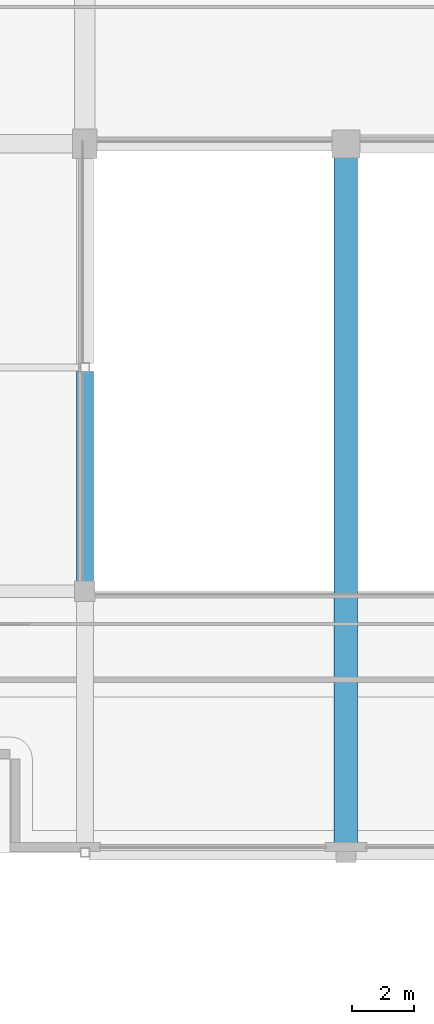
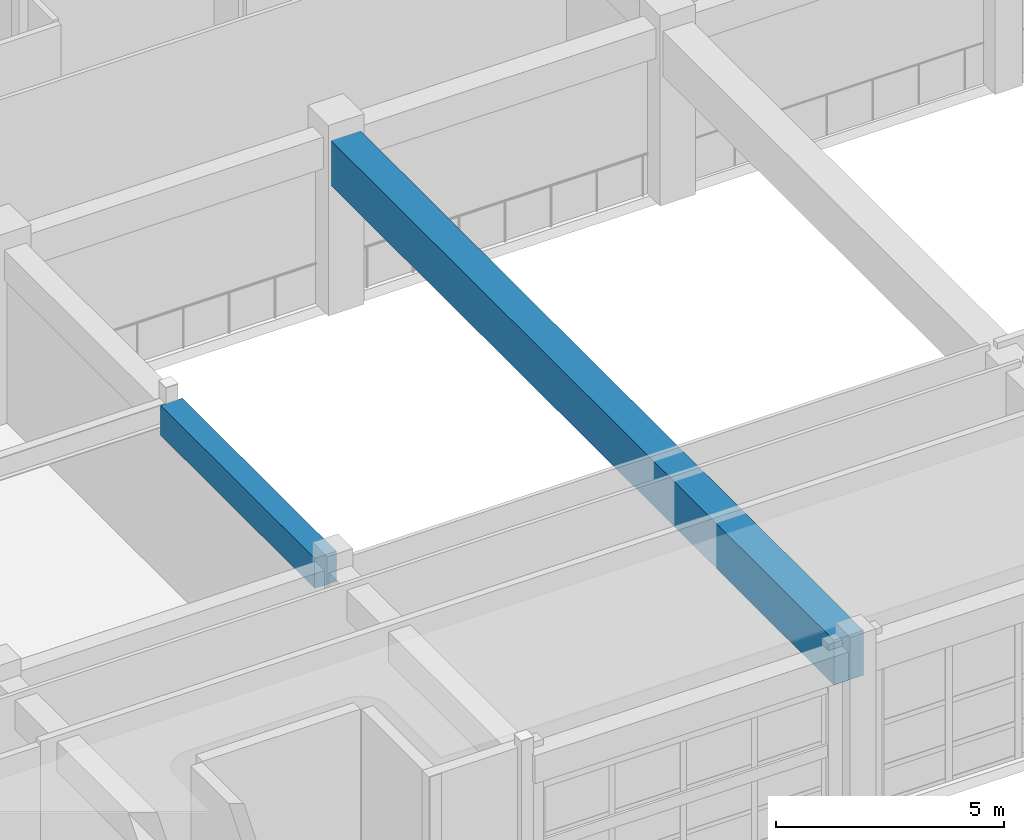
# One storey, part 33 of 78: 2 beams.
"""IFC4 building model written with IfcOpenShell, lengths in metres."""

from ifc_helpers import new_model, si_unit, direction, frame, origin, origin_2d, place, context, subcontext, project, spatial, rectangle, extrude, material, material_profile, profile_set, type_object, element, save


model = new_model("IFC4")

# Units and contexts
model_context = context("Model", 3, precision=1e-05, world=origin(), true_north=direction((0.0, 1.0)))
body_context = subcontext(model_context, "Body", "Model", "MODEL_VIEW")
ifc_project = project(units=[si_unit("LENGTHUNIT", "METRE"), si_unit("AREAUNIT", "SQUARE_METRE"), si_unit("VOLUMEUNIT", "CUBIC_METRE"), si_unit("PLANEANGLEUNIT", "RADIAN"), si_unit("MASSUNIT", "GRAM", prefix="KILO")], contexts=[model_context])

# Site, building, storey
site_placement = place(None, origin())
site = spatial("IfcSite", under=ifc_project, at=site_placement, CompositionType="ELEMENT")
building_placement = place(site_placement, origin())
building = spatial("IfcBuilding", under=site, at=building_placement, Name="Quendrovan Civic Courthouse", CompositionType="ELEMENT")
storey_placement = place(building_placement, frame((0.0, 0.0, 10.199951171875)))
storey = spatial("IfcBuildingStorey", under=building, at=storey_placement, Name="L03", CompositionType="ELEMENT", Elevation=10.199951171875)

# Beams
ifc_material_1 = material(Name="Post-tensioned concrete C50/60", Category="concrete")
ifc_material_profile_1 = material_profile(ifc_material_1, rectangle(XDim=0.75, YDim=1.199951171875, at=origin_2d()), Name="PT-GIRD-750x1200")
ifc_profile_set_1 = profile_set([ifc_material_profile_1], Name="Post-tensioned concrete C50/60")
beam_type_1 = type_object("IfcBeamType", Name="BM-PT1200", PredefinedType="BEAM", material=ifc_profile_set_1)
beam_1_placement = place(storey_placement, frame((58.800048828125, 65.10498046875, 4.06005859375), z_axis=(0.0, 1.0, 0.0), x_axis=(-1.0, 0.0, 0.0)))
element("IfcBeam", 1, at=beam_1_placement, inside=storey, type_object=beam_type_1, Name="L03 Girder Y0842", PredefinedType="BEAM", context=body_context, shape_type="SweptSolid", body=[
    extrude(rectangle(XDim=0.75, YDim=1.199951171875, at=origin_2d()), origin(), (0.0, 0.0, 1.0), 22.06494140625),
])
ifc_material_2 = material(Name="Concrete C40/50", Category="concrete")
ifc_material_profile_2 = material_profile(ifc_material_2, rectangle(XDim=0.550048828125, YDim=0.800048828125, at=origin_2d()), Name="RC-BM-550x800")
ifc_profile_set_2 = profile_set([ifc_material_profile_2], Name="Concrete C40/50")
beam_type_2 = type_object("IfcBeamType", Name="BM-RC800", PredefinedType="BEAM", material=ifc_profile_set_2)
beam_2_placement = place(storey_placement, frame((50.39990234375, 73.5048828125, 4.260009765625), z_axis=(0.0, 1.0, 0.0), x_axis=(-1.0, 0.0, 0.0)))
element("IfcBeam", 2, at=beam_2_placement, inside=storey, type_object=beam_type_2, Name="L03 Girder Y0836", PredefinedType="BEAM", context=body_context, shape_type="SweptSolid", body=[
    extrude(rectangle(XDim=0.550048828125, YDim=0.800048828125, at=origin_2d()), origin(), (0.0, 0.0, 1.0), 6.76513671875),
])

save(model, "model.ifc")
